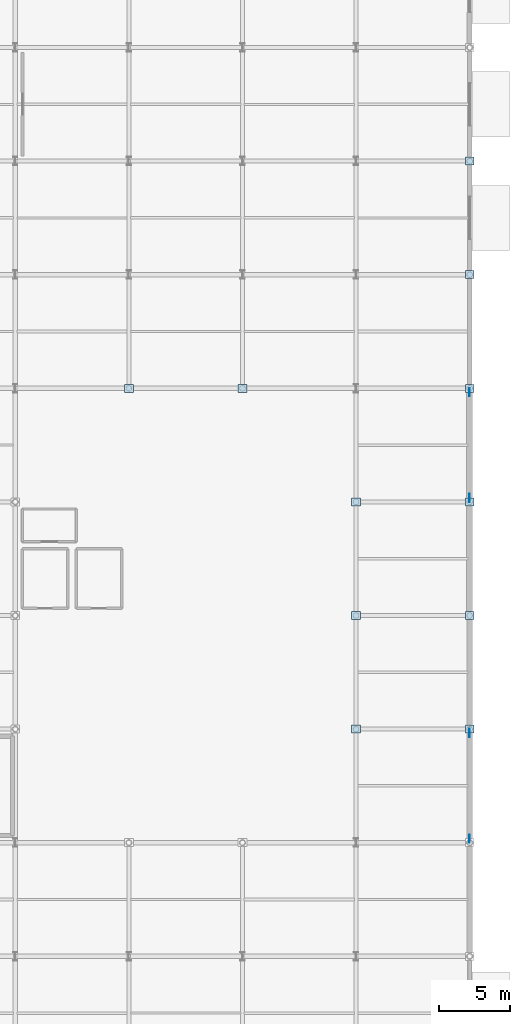
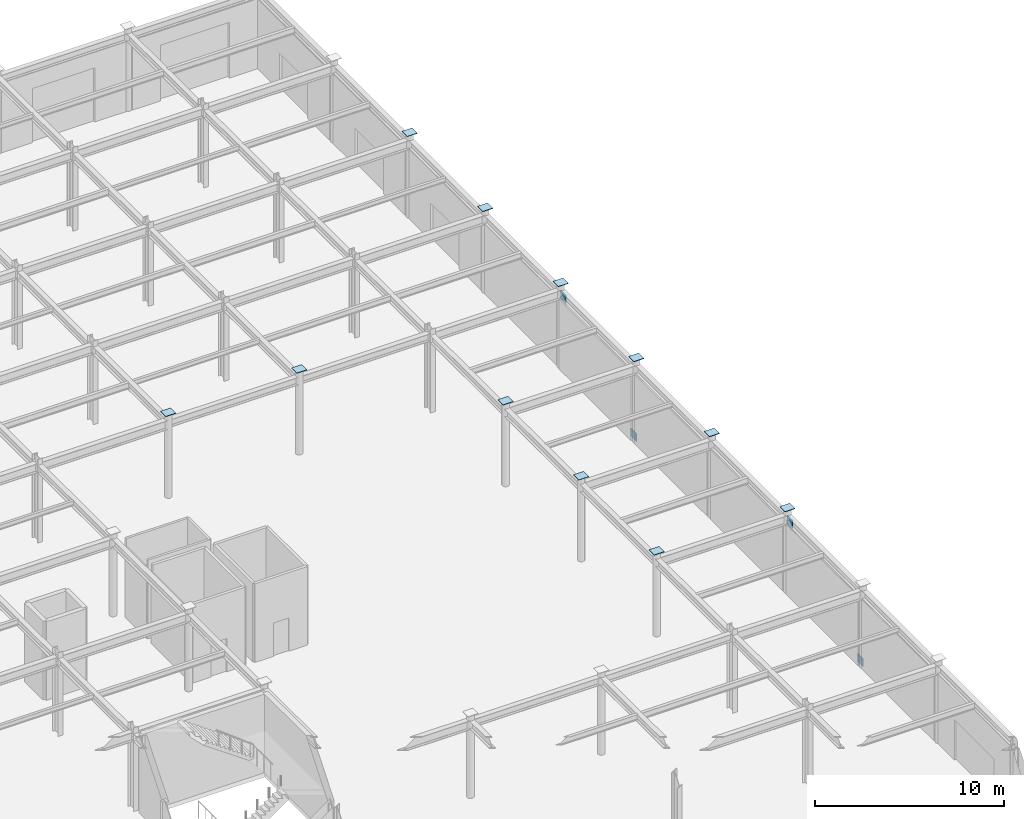
# One storey, part 20 of 39: 15 plates.
"""IFC4 building model written with IfcOpenShell, lengths in metres."""

from ifc_helpers import new_model, si_unit, direction, frame, origin, origin_2d, place, context, subcontext, project, spatial, rectangle, extrude, material, layer, layer_set, type_object, element, save


model = new_model("IFC4")

# Units and contexts
model_context = context("Model", 3, precision=1e-05, world=origin(), true_north=direction((0.0, 1.0)))
body_context = subcontext(model_context, "Body", "Model", "MODEL_VIEW")
ifc_project = project(units=[si_unit("LENGTHUNIT", "METRE"), si_unit("AREAUNIT", "SQUARE_METRE"), si_unit("VOLUMEUNIT", "CUBIC_METRE"), si_unit("PLANEANGLEUNIT", "RADIAN"), si_unit("MASSUNIT", "GRAM", prefix="KILO")], contexts=[model_context])

# Site, building, storey
site_placement = place(None, origin())
site = spatial("IfcSite", under=ifc_project, at=site_placement, CompositionType="ELEMENT")
building_placement = place(site_placement, origin())
building = spatial("IfcBuilding", under=site, at=building_placement, Name="Tazarka Park Arena", CompositionType="ELEMENT")
storey_placement = place(building_placement, origin())
storey = spatial("IfcBuildingStorey", under=building, at=storey_placement, Name="L00", CompositionType="ELEMENT", Elevation=0.0)

# Plates
ifc_material_1 = material(Name="Steel S460", Category="steel")
ifc_layer_1 = layer(ifc_material_1, 0.030029296875, Name="Steel S460")
ifc_layer_set_1 = layer_set([ifc_layer_1], Name="Steel S460")
plate_type_1 = type_object("IfcPlateType", Name="PLT-PL-01", PredefinedType="SHEET", material=ifc_layer_set_1)
for number, where, z_axis, x_axis, name in (
    (1, (160.0, 96.0, 5.39990234375), (0.0, 0.0, 1.0), (1.0, 0.0, 0.0), "CPL-L00-20-12"),
    (2, (168.0, 96.0, 5.39990234375), (0.0, 0.0, 1.0), (1.0, 0.0, 0.0), "CPL-L00-21-12"),
    (3, (176.0, 72.0, 5.39990234375), (0.0, 0.0, 1.0), (1.0, 0.0, 0.0), "CPL-L00-22-09"),
    (4, (176.0, 80.0, 5.39990234375), (0.0, 0.0, 1.0), (1.0, 0.0, 0.0), "CPL-L00-22-10"),
    (5, (176.0, 88.0, 5.39990234375), (0.0, 0.0, 1.0), (1.0, 0.0, 0.0), "CPL-L00-22-11"),
    (6, (184.0, 72.0, 5.39990234375), (0.0, 0.0, 1.0), (1.0, 0.0, 0.0), "CPL-L00-23-09"),
    (7, (184.0, 80.0, 5.39990234375), (0.0, 0.0, 1.0), (1.0, 0.0, 0.0), "CPL-L00-23-10"),
    (8, (184.0, 88.0, 5.39990234375), (0.0, 0.0, 1.0), (1.0, 0.0, 0.0), "CPL-L00-23-11"),
    (9, (184.0, 96.0, 5.39990234375), (0.0, 0.0, 1.0), (1.0, 0.0, 0.0), "CPL-L00-23-12"),
    (10, (184.0, 104.0, 5.39990234375), (0.0, 0.0, 1.0), (1.0, 0.0, 0.0), "CPL-L00-23-13"),
    (11, (184.0, 112.0, 5.39990234375), (0.0, 0.0, 1.0), (1.0, 0.0, 0.0), "CPL-L00-23-14"),
):
    element("IfcPlate", number, at=place(storey_placement, frame(where, z_axis=z_axis, x_axis=x_axis)), inside=storey, type_object=plate_type_1, Name=name, PredefinedType="SHEET", context=body_context, shape_type="SweptSolid", body=[
        extrude(rectangle(XDim=0.6201171875, YDim=0.56005859375, at=origin_2d()), origin(), (0.0, 0.0, 1.0), 0.030029296875),
    ])
ifc_material_2 = material(Name="Steel S460", Category="steel")
ifc_layer_2 = layer(ifc_material_2, 0.035888671875, Name="Steel S460")
ifc_layer_set_2 = layer_set([ifc_layer_2], Name="Steel S460")
plate_type_2 = type_object("IfcPlateType", Name="PLT-PL-11", PredefinedType="USERDEFINED", material=ifc_layer_set_2)
for number, where, z_axis, x_axis, name in (
    (12, (184.0, 64.280029296875, -0.010009765625), (0.0, 0.0, 1.0), (1.0, 0.0, 0.0), "BRP-L00-02-1"),
    (13, (184.0, 71.719970703125, 4.409912109375), (0.0, 0.0, 1.0), (1.0, 0.0, 0.0), "BRP-L00-02-2"),
    (14, (184.0, 88.280029296875, -0.010009765625), (0.0, 0.0, 1.0), (1.0, 0.0, 0.0), "BRP-L00-03-1"),
    (15, (184.0, 95.719970703125, 4.409912109375), (0.0, 0.0, 1.0), (1.0, 0.0, 0.0), "BRP-L00-03-2"),
):
    element("IfcPlate", number, at=place(storey_placement, frame(where, z_axis=z_axis, x_axis=x_axis)), inside=storey, type_object=plate_type_2, Name=name, ObjectType="STIFFENER", PredefinedType="USERDEFINED", context=body_context, shape_type="SweptSolid", body=[
        extrude(rectangle(XDim=0.035888671875, YDim=0.580078125, at=origin_2d()), origin(), (0.0, 0.0, 1.0), 0.52001953125),
    ])

save(model, "model.ifc")
